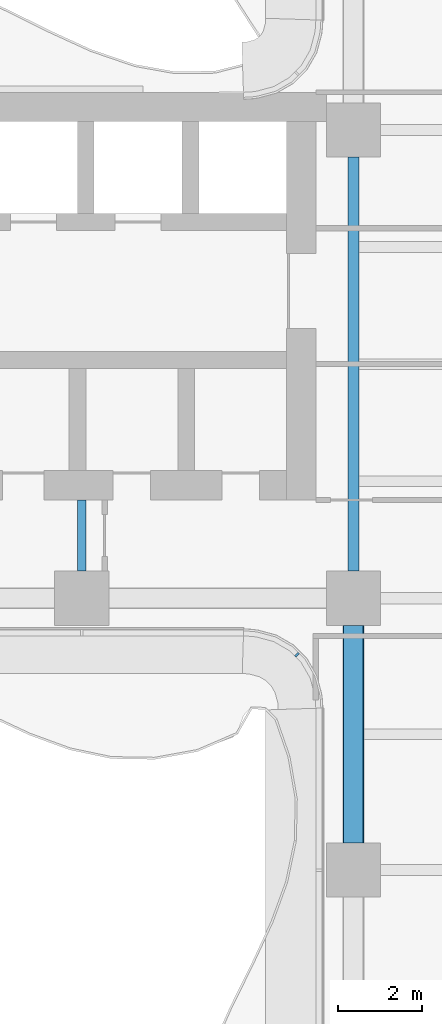
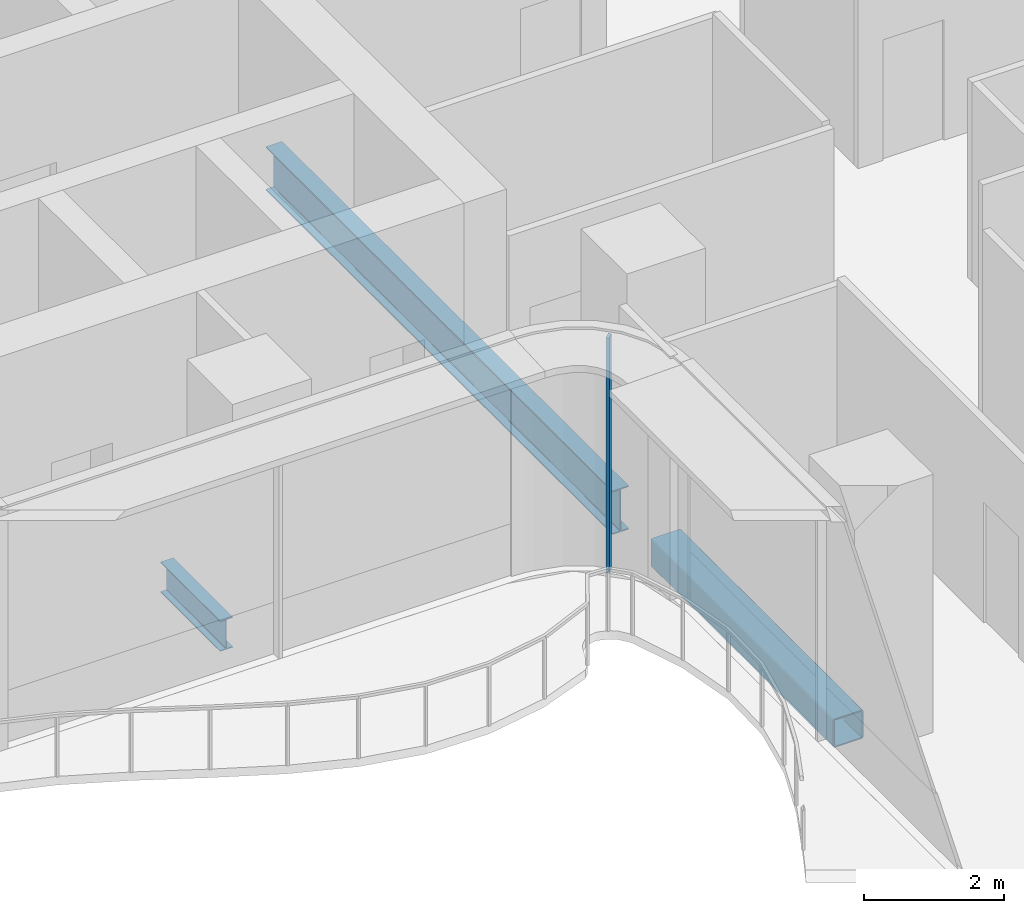
# One storey, part 4 of 21: 3 beams, 1 member, 1 element without a shape of its own.
"""IFC4 building model written with IfcOpenShell, lengths in metres."""

from ifc_helpers import new_model, si_unit, direction, frame, origin, origin_2d, place, context, subcontext, project, spatial, rectangle, hollow_rectangle, i_section, extrude, source, transform, mapped, material, layer, layer_set, material_profile, profile_set, type_object, element, aggregate, save


model = new_model("IFC4")

# Units and contexts
model_context = context("Model", 3, precision=1e-05, world=origin(), true_north=direction((0.0, 1.0)))
body_context = subcontext(model_context, "Body", "Model", "MODEL_VIEW")
ifc_project = project(units=[si_unit("LENGTHUNIT", "METRE"), si_unit("AREAUNIT", "SQUARE_METRE"), si_unit("VOLUMEUNIT", "CUBIC_METRE"), si_unit("PLANEANGLEUNIT", "RADIAN"), si_unit("MASSUNIT", "GRAM", prefix="KILO")], contexts=[model_context])

# Site, building, storey
site_placement = place(None, origin())
site = spatial("IfcSite", under=ifc_project, at=site_placement, CompositionType="ELEMENT")
building_placement = place(site_placement, origin())
building = spatial("IfcBuilding", under=site, at=building_placement, Name="Trellis Farm Tower", CompositionType="ELEMENT")
storey_placement = place(building_placement, frame((0.0, 0.0, 97.5)))
storey = spatial("IfcBuildingStorey", under=building, at=storey_placement, Name="L20", CompositionType="ELEMENT", Elevation=97.5)

# Beams
ifc_material_1 = material(Name="Steel S355", Category="steel")
ifc_material_profile_1 = material_profile(ifc_material_1, hollow_rectangle(XDim=0.5, YDim=0.5, WallThickness=0.02001953125, InnerFilletRadius=0.02001953125, OuterFilletRadius=0.030029296875, at=origin_2d()), Name="SHS 500x500x20")
ifc_profile_set_1 = profile_set([ifc_material_profile_1], Name="Steel S355")
beam_type_1 = type_object("IfcBeamType", Name="SHS 500x500x20", PredefinedType="BEAM", material=ifc_profile_set_1)
shared_shape_1 = source(origin(), body_context, "Body", "SweptSolid", [
    extrude(hollow_rectangle(XDim=0.5, YDim=0.5, WallThickness=0.02001953125, InnerFilletRadius=0.02001953125, OuterFilletRadius=0.030029296875, at=origin_2d()), origin(), (0.0, 0.0, 1.0), 5.199951171875),
])
beam_1_placement = place(storey_placement, frame((-5.60009765625, -11.449951171875, -0.5), z_axis=(0.0, 1.0, 0.0), x_axis=(-1.0, 0.0, 0.0)))
element("IfcBeam", 1, at=beam_1_placement, inside=storey, type_object=beam_type_1, Name="Girder", PredefinedType="BEAM", context=body_context, shape_type="MappedRepresentation", body=[
    mapped(shared_shape_1, transform((0.0, 0.0, 0.0))),
])
ifc_material_profile_2 = material_profile(ifc_material_1, i_section(OverallWidth=0.2666015625, OverallDepth=0.76220703125, WebThickness=0.014404296875, FlangeThickness=0.021484375, FilletRadius=0.0166015625, at=origin_2d()), Name="UB 762x267x173")
ifc_profile_set_2 = profile_set([ifc_material_profile_2], Name="Steel S355")
beam_type_2 = type_object("IfcBeamType", Name="UB 762x267x173", PredefinedType="BEAM", material=ifc_profile_set_2)
shared_shape_2 = source(origin(), body_context, "Body", "SweptSolid", [
    extrude(i_section(OverallWidth=0.2666015625, OverallDepth=0.76220703125, WebThickness=0.014404296875, FlangeThickness=0.021484375, FilletRadius=0.0166015625, at=origin_2d()), origin(), (0.0, 0.0, 1.0), 9.89990234375),
])
beam_2_placement = place(storey_placement, frame((-5.60009765625, -4.949951171875, -0.631103515625), z_axis=(0.0, 1.0, 0.0), x_axis=(-1.0, 0.0, 0.0)))
element("IfcBeam", 2, at=beam_2_placement, inside=storey, type_object=beam_type_2, Name="Girder", PredefinedType="BEAM", context=body_context, shape_type="MappedRepresentation", body=[
    mapped(shared_shape_2, transform((0.0, 0.0, 0.0))),
])
ifc_material_profile_3 = material_profile(ifc_material_1, i_section(OverallWidth=0.209228515625, OverallDepth=0.533203125, WebThickness=0.010009765625, FlangeThickness=0.015625, FilletRadius=0.0126953125, at=origin_2d()), Name="UB 533x210x92")
ifc_profile_set_3 = profile_set([ifc_material_profile_3], Name="Steel S355")
beam_type_3 = type_object("IfcBeamType", Name="UB 533x210x92", PredefinedType="BEAM", material=ifc_profile_set_3)
shared_shape_3 = source(origin(), body_context, "Body", "SweptSolid", [
    extrude(i_section(OverallWidth=0.209228515625, OverallDepth=0.533203125, WebThickness=0.010009765625, FlangeThickness=0.015625, FilletRadius=0.0126953125, at=origin_2d()), origin(), (0.0, 0.0, 1.0), 1.699951171875),
])
beam_3_placement = place(storey_placement, frame((-12.10009765625, -4.949951171875, -0.5166015625), z_axis=(0.0, 1.0, 0.0), x_axis=(-1.0, 0.0, 0.0)))
element("IfcBeam", 3, at=beam_3_placement, inside=storey, type_object=beam_type_3, Name="Girder", PredefinedType="BEAM", context=body_context, shape_type="MappedRepresentation", body=[
    mapped(shared_shape_3, transform((0.0, 0.0, 0.0))),
])

# Curtain wall, member
ifc_material_2 = material(Name="Aluminium and glass curtain wall", Category="aluminium")
ifc_layer = layer(ifc_material_2, 0.166015625)
ifc_layer_set = layer_set([ifc_layer], Name="WINTER GARDEN CURTAIN WALL CW3")
curtain_wall_type = type_object("IfcCurtainWallType", Name="WINTER GARDEN CURTAIN WALL CW3", PredefinedType="NOTDEFINED", material=ifc_layer_set)
curtain_wall_placement = place(storey_placement, origin())
curtain_wall = element("IfcCurtainWall", 4, at=curtain_wall_placement, inside=storey, type_object=curtain_wall_type, Name="CW3 001", PredefinedType="NOTDEFINED")
ifc_material_3 = material(Name="Aluminium extrusion 6063-T6", Category="aluminium")
ifc_material_profile_4 = material_profile(ifc_material_3, rectangle(XDim=0.050048828125, YDim=0.1201171875, at=origin_2d()), Name="MULLION 50x120")
ifc_profile_set_4 = profile_set([ifc_material_profile_4], Name="Aluminium extrusion 6063-T6")
member_type = type_object("IfcMemberType", Name="CW3 MULLION 50x120", PredefinedType="MULLION", material=ifc_profile_set_4)
shared_shape_4 = source(origin(), body_context, "Body", "SweptSolid", [
    extrude(rectangle(XDim=0.050048828125, YDim=0.1201171875, at=origin_2d()), origin(), (0.0, 0.0, 1.0), 4.10009765625),
])
member_placement = place(storey_placement, frame((-6.953125, -6.953125, 0.0), z_axis=(0.0, 0.0, 1.0), x_axis=(0.707106781187, -0.707106781187, 0.0)))
member = element("IfcMember", 5, at=member_placement, type_object=member_type, Name="MU3 001-01", PredefinedType="MULLION", context=body_context, shape_type="MappedRepresentation", body=[
    mapped(shared_shape_4, transform((0.0, 0.0, 0.0))),
])
aggregate(curtain_wall, [member])

save(model, "model.ifc")
